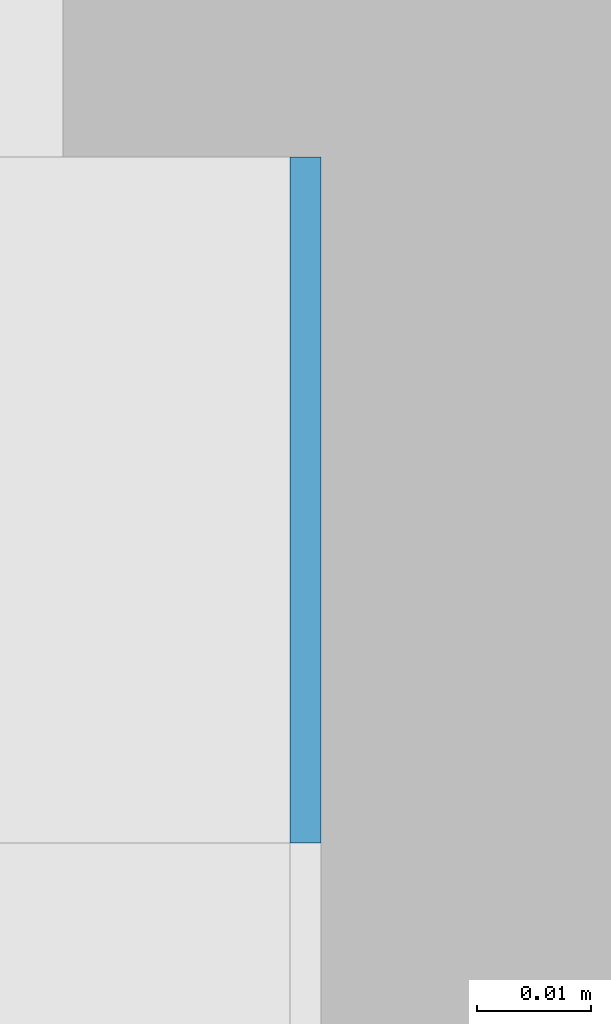
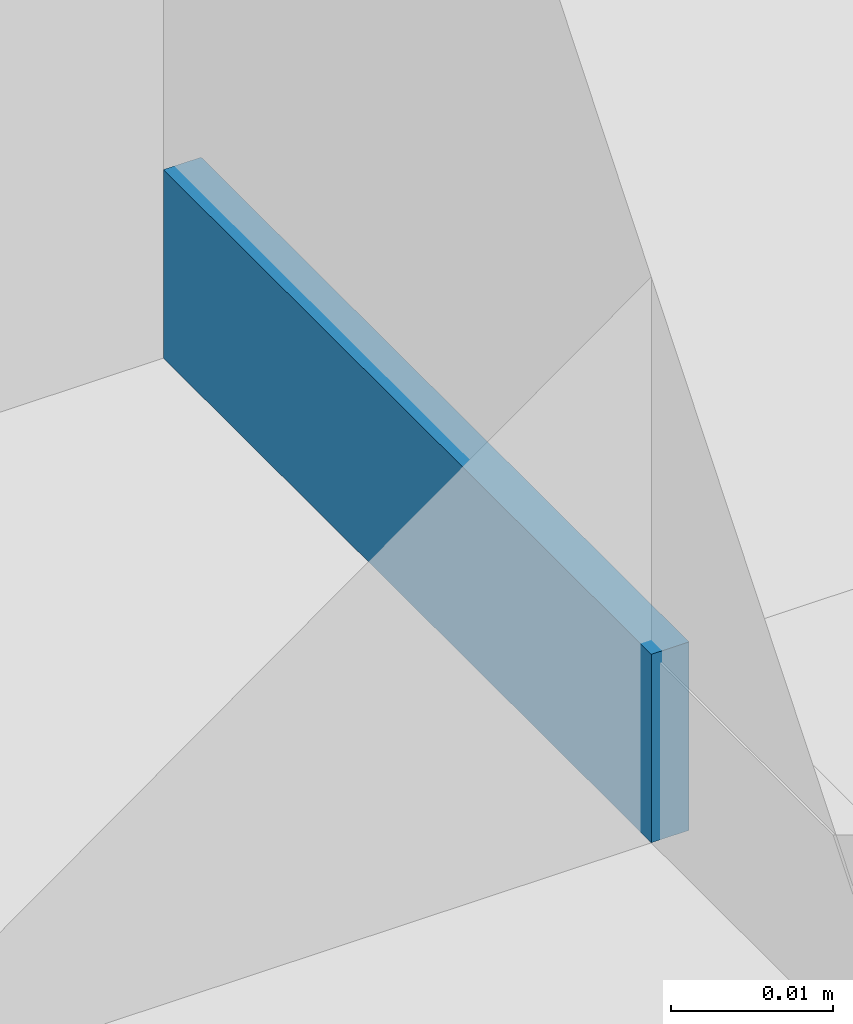
# One storey, part 398 of 646: 1 discrete accessory.
"""IFC4 building model written with IfcOpenShell, lengths in metres."""

from ifc_helpers import new_model, si_unit, direction, frame, origin, origin_2d, place, context, subcontext, project, spatial, rectangle, extrude, material, type_object, element, save


model = new_model("IFC4")

# Units and contexts
model_context = context("Model", 3, precision=1e-05, world=origin(), true_north=direction((0.0, 1.0)))
body_context = subcontext(model_context, "Body", "Model", "MODEL_VIEW")
ifc_project = project(units=[si_unit("LENGTHUNIT", "METRE"), si_unit("AREAUNIT", "SQUARE_METRE"), si_unit("VOLUMEUNIT", "CUBIC_METRE"), si_unit("PLANEANGLEUNIT", "RADIAN"), si_unit("MASSUNIT", "GRAM", prefix="KILO")], contexts=[model_context])

# Site, building, storey
site_placement = place(None, origin())
site = spatial("IfcSite", under=ifc_project, at=site_placement, CompositionType="ELEMENT")
building_placement = place(site_placement, origin())
building = spatial("IfcBuilding", under=site, at=building_placement, Name="Silverbay Arena", CompositionType="ELEMENT")
storey_placement = place(building_placement, frame((0.0, 0.0, 33.5)))
storey = spatial("IfcBuildingStorey", under=building, at=storey_placement, Name="L05", CompositionType="ELEMENT", Elevation=33.5)

# Discrete accessory
ifc_material = material(Name="Steel S355", Category="steel")
discrete_accessory_type = type_object("IfcDiscreteAccessoryType", Name="Steel bracket plate", PredefinedType="BRACKET", material=ifc_material)
discrete_accessory_placement = place(storey_placement, frame((53.871337890625, 117.030029296875, 4.0), z_axis=(0.0, 0.0, 1.0), x_axis=(1.0, 0.0, 0.0)))
element("IfcDiscreteAccessory", 1, at=discrete_accessory_placement, inside=storey, type_object=discrete_accessory_type, Name="Curtain wall packing plate", PredefinedType="BRACKET", context=body_context, shape_type="SweptSolid", body=[
    extrude(rectangle(XDim=0.002685546875, YDim=0.06005859375, at=origin_2d()), origin(), (0.0, 0.0, 1.0), 0.01416015625),
])

save(model, "model.ifc")
